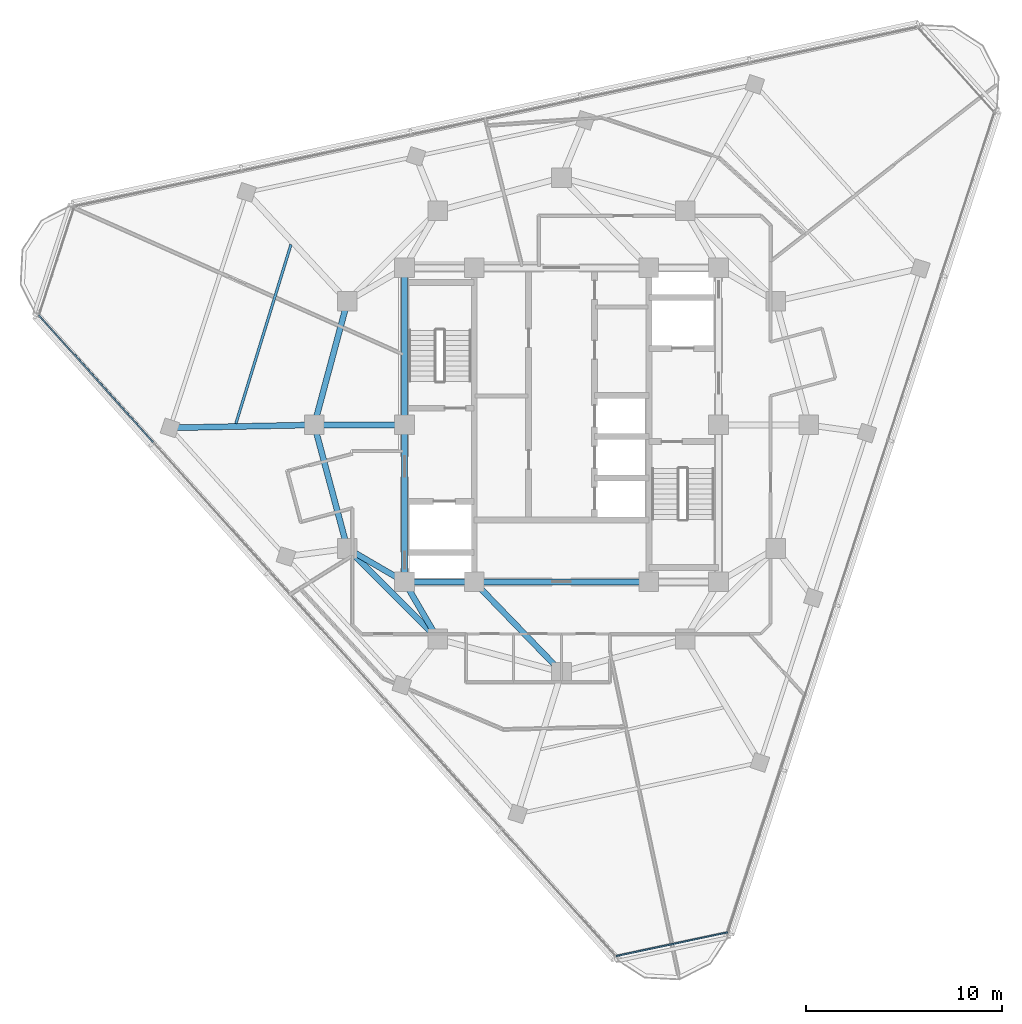
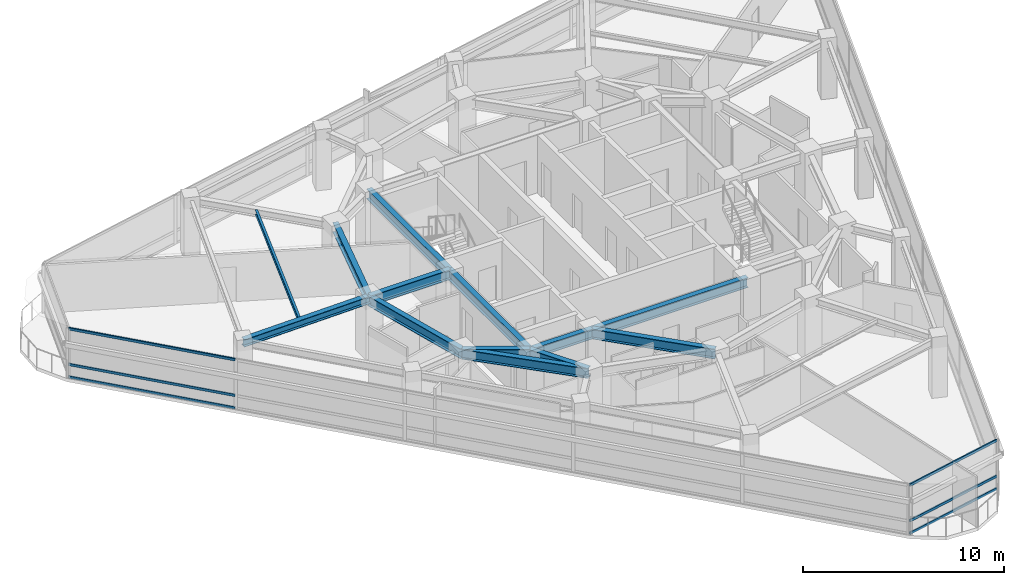
# One storey, part 3 of 15: 13 beams, 6 members, 2 elements without a shape of their own.
"""IFC4 building model written with IfcOpenShell, lengths in metres."""

import ifcopenshell
import ifcopenshell.guid

model = None  # the IFC model being written
_history = None  # IfcOwnerHistory: only IFC2X3 demands one
_inside = {}  # id of a spatial element -> (the spatial element, [elements in it])
_under = {}  # id of a project, library or spatial element -> (it, [spatial elements below it])
_declared = {}  # id of a project -> (the project, [libraries it declares])
_typed = {}  # id of a type object -> (the type object, [elements of that type])
_made_of = {}  # id of a material, layer set ... -> (it, [elements and type objects made of it])


def new_model(schema):
    """Start an empty IFC model of exactly this schema.

    Asked for "IFC4X3", IfcOpenShell would pick the latest addendum, in which some entities
    have other attributes; the version numbers below select the first issue.
    IFC2X3 requires an IfcOwnerHistory on every rooted entity: one is made here for all.
    """
    global model, _history
    if schema == "IFC4X3":
        model = ifcopenshell.file(schema_version=(4, 3, 0, 0))
    else:
        model = ifcopenshell.file(schema=schema)
    _inside.clear()
    _under.clear()
    _declared.clear()
    _typed.clear()
    _made_of.clear()
    _history = None
    if model.schema == "IFC2X3":
        org = make("IfcOrganization", Name="unknown")
        user = make(
            "IfcPersonAndOrganization",
            ThePerson=make("IfcPerson", FamilyName="unknown"),
            TheOrganization=org,
        )
        app = make(
            "IfcApplication",
            ApplicationDeveloper=org,
            Version="unknown",
            ApplicationFullName="unknown",
            ApplicationIdentifier="unknown",
        )
        _history = make(
            "IfcOwnerHistory",
            OwningUser=user,
            OwningApplication=app,
            ChangeAction="ADDED",
            CreationDate=0,
        )
    return model


def make(cls, **values):
    """One entity of the class cls with the attributes given. An attribute that is None is left unset."""
    return model.create_entity(
        cls, **{name: value for name, value in values.items() if value is not None}
    )


def rooted(cls, **values):
    """An entity with a GlobalId (a new one), such as an element, a storey or a relation."""
    return make(cls, GlobalId=ifcopenshell.guid.new(), OwnerHistory=_history, **values)


def si_unit(unit_type, name, prefix=None):
    """IfcSIUnit, for example si_unit("LENGTHUNIT", "METRE", prefix="MILLI")."""
    return make("IfcSIUnit", UnitType=unit_type, Prefix=prefix, Name=name)


def assignment(units):
    """IfcUnitAssignment: the units of a project."""
    return None if units is None else make("IfcUnitAssignment", Units=units)


def point(xyz):
    """IfcCartesianPoint."""
    return None if xyz is None else make("IfcCartesianPoint", Coordinates=xyz)


def direction(xyz):
    """IfcDirection."""
    return None if xyz is None else make("IfcDirection", DirectionRatios=xyz)


def frame(location, z_axis=None, x_axis=None):
    """IfcAxis2Placement3D, a coordinate frame: its origin and axes. An axis left out is left unset."""
    return make(
        "IfcAxis2Placement3D",
        Location=point(location),
        Axis=direction(z_axis),
        RefDirection=direction(x_axis),
    )


def frame_2d(location, x_axis=None):
    """IfcAxis2Placement2D, a coordinate frame in the plane: its origin and x axis."""
    return make(
        "IfcAxis2Placement2D", Location=point(location), RefDirection=direction(x_axis)
    )


def origin():
    """The frame at (0, 0, 0) with its axes left unset."""
    return frame((0.0, 0.0, 0.0))


def origin_2d():
    """The frame at (0, 0) in the plane with its x axis left unset."""
    return frame_2d((0.0, 0.0))


def place(relative_to, where):
    """IfcLocalPlacement: puts the frame where relative to a parent placement (None: the world)."""
    return make(
        "IfcLocalPlacement", PlacementRelTo=relative_to, RelativePlacement=where
    )


def context(
    kind, dimensions, precision=None, world=None, true_north=None, identifier=None
):
    """IfcGeometricRepresentationContext, for example the 3D "Model" context."""
    return make(
        "IfcGeometricRepresentationContext",
        ContextIdentifier=identifier,
        ContextType=kind,
        CoordinateSpaceDimension=dimensions,
        Precision=precision,
        WorldCoordinateSystem=world,
        TrueNorth=true_north,
    )


def subcontext(parent, identifier, kind, view, scale=None):
    """IfcGeometricRepresentationSubContext, for example "Body" below "Model"."""
    return make(
        "IfcGeometricRepresentationSubContext",
        ContextIdentifier=identifier,
        ContextType=kind,
        ParentContext=parent,
        TargetScale=scale,
        TargetView=view,
    )


def project(units=None, contexts=None):
    """IfcProject with its units and contexts."""
    return rooted(
        "IfcProject",
        Name="project",
        RepresentationContexts=contexts,
        UnitsInContext=assignment(units),
    )


def spatial(cls, under=None, at=None, **own):
    """A site, building, storey or space (cls), placed at a placement, below another one or the project."""
    s = rooted(cls, ObjectPlacement=at, **own)
    if under is not None:
        _under.setdefault(under.id(), (under, []))[1].append(s)
    return s


def profile(cls, at=None, kind="AREA", **sizes):
    """A parametric profile (cls). Its sizes go by their IFC names, for example OverallWidth=200.0."""
    return make(cls, ProfileType=kind, Position=at, **sizes)


def rectangle(**sizes):
    """IfcRectangleProfileDef."""
    return profile("IfcRectangleProfileDef", **sizes)


def i_section(**sizes):
    """IfcIShapeProfileDef."""
    return profile("IfcIShapeProfileDef", **sizes)


def extrude(swept, where, along, depth):
    """IfcExtrudedAreaSolid: the profile swept, set in the frame where, extruded along a direction by depth."""
    return make(
        "IfcExtrudedAreaSolid",
        SweptArea=swept,
        Position=where,
        ExtrudedDirection=direction(along),
        Depth=depth,
    )


def shape(context_of_items, identifier, shape_type, items):
    """IfcShapeRepresentation: the items that make up one representation, for example the "Body"."""
    return make(
        "IfcShapeRepresentation",
        ContextOfItems=context_of_items,
        RepresentationIdentifier=identifier,
        RepresentationType=shape_type,
        Items=items,
    )


def material(Name=None, Category=None):
    """IfcMaterial."""
    return make("IfcMaterial", Name=Name, Category=Category)


def layer(
    of_material, thickness, ventilated=None, Name=None, Category=None, Priority=None
):
    """IfcMaterialLayer: one layer of a wall or slab, of a material (None: an air gap)."""
    return make(
        "IfcMaterialLayer",
        Material=of_material,
        LayerThickness=thickness,
        IsVentilated=ventilated,
        Name=Name,
        Category=Category,
        Priority=Priority,
    )


def layer_set(layers, Name=None):
    """IfcMaterialLayerSet."""
    return make("IfcMaterialLayerSet", MaterialLayers=layers, LayerSetName=Name)


def material_profile(
    of_material, cross_section, Name=None, Category=None, Priority=None
):
    """IfcMaterialProfile: a cross section and its material."""
    return make(
        "IfcMaterialProfile",
        Name=Name,
        Material=of_material,
        Profile=cross_section,
        Priority=Priority,
        Category=Category,
    )


def profile_set(profiles, Name=None, composite=None):
    """IfcMaterialProfileSet."""
    return make(
        "IfcMaterialProfileSet",
        Name=Name,
        MaterialProfiles=profiles,
        CompositeProfile=composite,
    )


def made_of(thing, what):
    """Note that an element or type object is made of a material, layer set ...; save() writes the relation."""
    if what is not None:
        _made_of.setdefault(what.id(), (what, []))[1].append(thing)
    return thing


def type_object(cls, material=None, **own):
    """A type object (cls), such as IfcWallType, which elements share."""
    return made_of(rooted(cls, **own), material)


def element(
    cls,
    number,
    at=None,
    inside=None,
    cuts=None,
    type_object=None,
    material=None,
    context=None,
    identifier="Body",
    shape_type=None,
    held_by="IfcProductDefinitionShape",
    body=None,
    shapes=None,
    **own,
):
    """One element of the class cls, such as IfcWall. Its Tag is "e" and its number.

    at: its placement. inside: the storey or other place that contains it. cuts: it is an
    opening in that element (IfcRelVoidsElement). A single representation is given by context,
    identifier, shape_type and body (its items); several are given by shapes. held_by: the class
    of the entity that holds the representations. save() writes the other relations.
    """
    e = rooted(cls, Tag="e%d" % number, ObjectPlacement=at, **own)
    if body is not None:
        shapes = [shape(context, identifier, shape_type, body)]
    if shapes is not None:
        e.Representation = make(held_by, Representations=shapes)
    if inside is not None:
        _inside.setdefault(inside.id(), (inside, []))[1].append(e)
    if cuts is not None:
        rooted(
            "IfcRelVoidsElement", RelatingBuildingElement=cuts, RelatedOpeningElement=e
        )
    if type_object is not None:
        _typed.setdefault(type_object.id(), (type_object, []))[1].append(e)
    return made_of(e, material)


def aggregate(whole, parts):
    """IfcRelAggregates: a whole, such as a stair, and the parts it consists of."""
    return rooted("IfcRelAggregates", RelatingObject=whole, RelatedObjects=parts)


def save(model, path):
    """Write the relations noted so far, then the file.

    IfcRelAggregates (storeys below a building ...), IfcRelContainedInSpatialStructure (elements
    in a storey), IfcRelDefinesByType, IfcRelAssociatesMaterial and IfcRelDeclares: one each for
    every whole, place, type object, material and project.
    """
    for whole, parts in _under.values():
        aggregate(whole, parts)
    for where, things in _inside.values():
        rooted(
            "IfcRelContainedInSpatialStructure",
            RelatedElements=things,
            RelatingStructure=where,
        )
    for kind, things in _typed.values():
        rooted("IfcRelDefinesByType", RelatedObjects=things, RelatingType=kind)
    for what, things in _made_of.values():
        rooted("IfcRelAssociatesMaterial", RelatedObjects=things, RelatingMaterial=what)
    for by, libraries in _declared.values():
        rooted("IfcRelDeclares", RelatingContext=by, RelatedDefinitions=libraries)
    model.write(path)


model = new_model("IFC4")

# Units and contexts
model_context = context("Model", 3, precision=1e-05, world=origin(), true_north=direction((0.0, 1.0)))
body_context = subcontext(model_context, "Body", "Model", "MODEL_VIEW")
ifc_project = project(units=[si_unit("LENGTHUNIT", "METRE"), si_unit("AREAUNIT", "SQUARE_METRE"), si_unit("VOLUMEUNIT", "CUBIC_METRE"), si_unit("PLANEANGLEUNIT", "RADIAN"), si_unit("MASSUNIT", "GRAM", prefix="KILO")], contexts=[model_context])

# Site, building, storey
site_placement = place(None, origin())
site = spatial("IfcSite", under=ifc_project, at=site_placement, CompositionType="ELEMENT")
building_placement = place(site_placement, origin())
building = spatial("IfcBuilding", under=site, at=building_placement, Name="Terralouvre Media Tower", CompositionType="ELEMENT")
storey_placement = place(building_placement, frame((0.0, 0.0, 286.89990234375)))
storey = spatial("IfcBuildingStorey", under=building, at=storey_placement, Name="L74", CompositionType="ELEMENT", Elevation=286.89990234375)

# Beam
ifc_material_1 = material(Name="Structural steel S355J2", Category="steel")
ifc_material_profile_1 = material_profile(ifc_material_1, i_section(OverallWidth=0.135009765625, OverallDepth=0.27001953125, WebThickness=0.006591796875, FlangeThickness=0.01025390625, at=origin_2d()), Name="IPE 270")
ifc_profile_set_1 = profile_set([ifc_material_profile_1], Name="Structural steel S355J2")
beam_type_1 = type_object("IfcBeamType", Name="Composite Floor Joist J-IPE270 (IPE 270)", PredefinedType="JOIST", material=ifc_profile_set_1)
beam_1_placement = place(storey_placement, frame((-13.788330078125, 9.187744140625, 3.364990234375), z_axis=(-0.294195495195, -0.955745264496, 0.0), x_axis=(0.955745264496, -0.294195495195, 0.0)))
element("IfcBeam", 1, at=beam_1_placement, inside=storey, type_object=beam_type_1, Name="L74 Framing Beam JT-L74-06", PredefinedType="JOIST", context=body_context, shape_type="SweptSolid", body=[
    extrude(i_section(OverallWidth=0.135009765625, OverallDepth=0.27001953125, WebThickness=0.006591796875, FlangeThickness=0.01025390625, at=origin_2d()), origin(), (0.0, 0.0, 1.0), 9.544189453125),
])

# Curtain wall, members
ifc_material_2 = material(Name="Low-iron laminated double glazing with solar-control coating", Category="glass")
ifc_layer_1 = layer(ifc_material_2, 0.1650390625, Name="Faceted Glass-Point Crown Curtain Wall CW-06")
ifc_layer_set_1 = layer_set([ifc_layer_1], Name="Low-iron laminated double glazing with solar-control coating")
curtain_wall_type_1 = type_object("IfcCurtainWallType", Name="Faceted Glass-Point Crown Curtain Wall CW-06", PredefinedType="NOTDEFINED", material=ifc_layer_set_1)
curtain_wall_1_placement = place(storey_placement, origin())
curtain_wall_1 = element("IfcCurtainWall", 2, at=curtain_wall_1_placement, inside=storey, type_object=curtain_wall_type_1, Name="L74 Facade Curtain Wall F2", PredefinedType="NOTDEFINED")
ifc_material_3 = material(Name="Anodised extruded aluminium 6063-T6", Category="aluminium")
ifc_material_profile_2 = material_profile(ifc_material_3, rectangle(XDim=0.074951171875, YDim=0.14990234375, at=origin_2d()), Name="ALU 75x150")
ifc_profile_set_2 = profile_set([ifc_material_profile_2], Name="Anodised extruded aluminium 6063-T6")
member_type = type_object("IfcMemberType", Name="Curtain-Wall Horizontal Transom TR-150", PredefinedType="USERDEFINED", material=ifc_profile_set_2)
member_1_placement = place(storey_placement, frame((-26.64306640625, 5.59423828125, 0.03759765625), z_axis=(0.669130389016, -0.743145021174, 0.0), x_axis=(0.743145021174, 0.669130389016, 0.0)))
member_1 = element("IfcMember", 3, at=member_1_placement, type_object=member_type, Name="CW-06 transom 1.1", ObjectType="TRANSOM", PredefinedType="USERDEFINED", context=body_context, shape_type="SweptSolid", body=[
    extrude(rectangle(XDim=0.074951171875, YDim=0.14990234375, at=origin_2d()), origin(), (0.0, 0.0, 1.0), 8.71142578125),
])
member_2_placement = place(storey_placement, frame((-26.64306640625, 5.59423828125, 0.800048828125), z_axis=(0.669130389016, -0.743145021174, 0.0), x_axis=(0.743145021174, 0.669130389016, 0.0)))
member_2 = element("IfcMember", 4, at=member_2_placement, type_object=member_type, Name="CW-06 transom 1.2", ObjectType="TRANSOM", PredefinedType="USERDEFINED", context=body_context, shape_type="SweptSolid", body=[
    extrude(rectangle(XDim=0.074951171875, YDim=0.14990234375, at=origin_2d()), origin(), (0.0, 0.0, 1.0), 8.71142578125),
])
member_3_placement = place(storey_placement, frame((-26.64306640625, 5.59423828125, 2.962646484375), z_axis=(0.669130389016, -0.743145021174, 0.0), x_axis=(0.743145021174, 0.669130389016, 0.0)))
member_3 = element("IfcMember", 5, at=member_3_placement, type_object=member_type, Name="CW-06 transom 1.3", ObjectType="TRANSOM", PredefinedType="USERDEFINED", context=body_context, shape_type="SweptSolid", body=[
    extrude(rectangle(XDim=0.074951171875, YDim=0.14990234375, at=origin_2d()), origin(), (0.0, 0.0, 1.0), 8.71142578125),
])
aggregate(curtain_wall_1, [member_1, member_2, member_3])

ifc_material_4 = material(Name="Low-iron laminated double glazing with solar-control coating", Category="glass")
ifc_layer_2 = layer(ifc_material_4, 0.1650390625, Name="Rounded Wind-Corner Curved Glazing CW-04")
ifc_layer_set_2 = layer_set([ifc_layer_2], Name="Low-iron laminated double glazing with solar-control coating")
curtain_wall_type_2 = type_object("IfcCurtainWallType", Name="Rounded Wind-Corner Curved Glazing CW-04", PredefinedType="NOTDEFINED", material=ifc_layer_set_2)
curtain_wall_2_placement = place(storey_placement, origin())
curtain_wall_2 = element("IfcCurtainWall", 6, at=curtain_wall_2_placement, inside=storey, type_object=curtain_wall_type_2, Name="L74 Rounded Wind-Corner Curtain Wall C0", PredefinedType="NOTDEFINED")
member_4_placement = place(storey_placement, frame((2.783935546875, -27.0654296875, 0.03759765625), z_axis=(0.978142503597, 0.207935669515, 0.0), x_axis=(-0.207935669515, 0.978142503597, 0.0)))
member_4 = element("IfcMember", 7, at=member_4_placement, type_object=member_type, Name="CW-04 transom 1.1", ObjectType="TRANSOM", PredefinedType="USERDEFINED", context=body_context, shape_type="SweptSolid", body=[
    extrude(rectangle(XDim=0.074951171875, YDim=0.14990234375, at=origin_2d()), origin(), (0.0, 0.0, 1.0), 5.808349609375),
])
member_5_placement = place(storey_placement, frame((2.783935546875, -27.0654296875, 0.800048828125), z_axis=(0.978142503597, 0.207935669515, 0.0), x_axis=(-0.207935669515, 0.978142503597, 0.0)))
member_5 = element("IfcMember", 8, at=member_5_placement, type_object=member_type, Name="CW-04 transom 1.2", ObjectType="TRANSOM", PredefinedType="USERDEFINED", context=body_context, shape_type="SweptSolid", body=[
    extrude(rectangle(XDim=0.074951171875, YDim=0.14990234375, at=origin_2d()), origin(), (0.0, 0.0, 1.0), 5.808349609375),
])
member_6_placement = place(storey_placement, frame((2.783935546875, -27.0654296875, 2.962646484375), z_axis=(0.978142503597, 0.207935669515, 0.0), x_axis=(-0.207935669515, 0.978142503597, 0.0)))
member_6 = element("IfcMember", 9, at=member_6_placement, type_object=member_type, Name="CW-04 transom 1.3", ObjectType="TRANSOM", PredefinedType="USERDEFINED", context=body_context, shape_type="SweptSolid", body=[
    extrude(rectangle(XDim=0.074951171875, YDim=0.14990234375, at=origin_2d()), origin(), (0.0, 0.0, 1.0), 5.808349609375),
])
aggregate(curtain_wall_2, [member_4, member_5, member_6])

# Beams
ifc_material_5 = material(Name="Structural steel S355J2", Category="steel")
ifc_material_profile_3 = material_profile(ifc_material_5, i_section(OverallWidth=0.300048828125, OverallDepth=0.449951171875, WebThickness=0.013916015625, FlangeThickness=0.02587890625, at=origin_2d()), Name="HEB 450")
ifc_profile_set_3 = profile_set([ifc_material_profile_3], Name="Structural steel S355J2")
beam_type_2 = type_object("IfcBeamType", Name="Primary Floor Girder B-HEB450 (HEB 450)", PredefinedType="BEAM", material=ifc_profile_set_3)
beam_2_placement = place(storey_placement, frame((-12.60009765625, 0.0, 3.275146484375), z_axis=(-0.999787942628, -0.020592954534, 0.0), x_axis=(0.020592954534, -0.999787942628, 0.0)))
element("IfcBeam", 10, at=beam_2_placement, inside=storey, type_object=beam_type_2, Name="L74 Framing Beam BM-L74-RD01", PredefinedType="BEAM", context=body_context, shape_type="SweptSolid", body=[
    extrude(i_section(OverallWidth=0.300048828125, OverallDepth=0.449951171875, WebThickness=0.013916015625, FlangeThickness=0.02587890625, at=origin_2d()), origin(), (0.0, 0.0, 1.0), 7.350341796875),
])
ifc_material_6 = material(Name="Structural steel S460M", Category="steel")
ifc_material_profile_4 = material_profile(ifc_material_6, i_section(OverallWidth=0.300048828125, OverallDepth=0.60009765625, WebThickness=0.015380859375, FlangeThickness=0.030029296875, at=origin_2d()), Name="HEB 600")
ifc_profile_set_4 = profile_set([ifc_material_profile_4], Name="Structural steel S460M")
beam_type_3 = type_object("IfcBeamType", Name="Primary Floor Girder B-HEB600 (HEB 600)", PredefinedType="BEAM", material=ifc_profile_set_4)
beam_3_placement = place(storey_placement, frame((-8.0, -8.0, 3.2001953125), z_axis=(1.0, 0.0, 0.0), x_axis=(0.0, 1.0, 0.0)))
element("IfcBeam", 11, at=beam_3_placement, inside=storey, type_object=beam_type_3, Name="L74 Framing Beam BM-L74-CPR01", PredefinedType="BEAM", context=body_context, shape_type="SweptSolid", body=[
    extrude(i_section(OverallWidth=0.300048828125, OverallDepth=0.60009765625, WebThickness=0.015380859375, FlangeThickness=0.030029296875, at=origin_2d()), origin(), (0.0, 0.0, 1.0), 3.550048828125),
])
beam_4_placement = place(storey_placement, frame((-4.449951171875, -8.0, 3.2001953125), z_axis=(1.0, 0.0, 0.0), x_axis=(0.0, 1.0, 0.0)))
element("IfcBeam", 12, at=beam_4_placement, inside=storey, type_object=beam_type_3, Name="L74 Framing Beam BM-L74-CPR02", PredefinedType="BEAM", context=body_context, shape_type="SweptSolid", body=[
    extrude(i_section(OverallWidth=0.300048828125, OverallDepth=0.60009765625, WebThickness=0.015380859375, FlangeThickness=0.030029296875, at=origin_2d()), origin(), (0.0, 0.0, 1.0), 8.89990234375),
])
for number, where, z_axis, x_axis, name in (
    (13, (-8.0, 8.0, 3.2001953125), (0.0, -1.0, 0.0), (1.0, 0.0, 0.0), "L74 Framing Beam BM-L74-CPR09"),
    (14, (-8.0, 0.0, 3.2001953125), (0.0, -1.0, 0.0), (1.0, 0.0, 0.0), "L74 Framing Beam BM-L74-CPR10"),
):
    element("IfcBeam", number, at=place(storey_placement, frame(where, z_axis=z_axis, x_axis=x_axis)), inside=storey, type_object=beam_type_3, Name=name, PredefinedType="BEAM", context=body_context, shape_type="SweptSolid", body=[
        extrude(i_section(OverallWidth=0.300048828125, OverallDepth=0.60009765625, WebThickness=0.015380859375, FlangeThickness=0.030029296875, at=origin_2d()), origin(), (0.0, 0.0, 1.0), 8.0),
    ])
beam_5_placement = place(storey_placement, frame((-10.911865234375, -6.300048828125, 3.2001953125), z_axis=(0.707106781187, -0.707106781187, 0.0), x_axis=(0.707106781187, 0.707106781187, 0.0)))
element("IfcBeam", 15, at=beam_5_placement, inside=storey, type_object=beam_type_3, Name="L74 Framing Beam BM-L74-MR01", PredefinedType="BEAM", context=body_context, shape_type="SweptSolid", body=[
    extrude(i_section(OverallWidth=0.300048828125, OverallDepth=0.60009765625, WebThickness=0.015380859375, FlangeThickness=0.030029296875, at=origin_2d()), origin(), (0.0, 0.0, 1.0), 6.52197265625),
])
for number, where, z_axis, x_axis, name in (
    (16, (-10.911865234375, 6.300048828125, 3.2001953125), (-0.258838989821, -0.965920481897, 0.0), (0.965920481897, -0.258838989821, 0.0), "L74 Framing Beam BM-L74-MR11"),
    (17, (-12.60009765625, 0.0, 3.2001953125), (0.258838989821, -0.965920481897, 0.0), (0.965920481897, 0.258838989821, 0.0), "L74 Framing Beam BM-L74-MR12"),
):
    element("IfcBeam", number, at=place(storey_placement, frame(where, z_axis=z_axis, x_axis=x_axis)), inside=storey, type_object=beam_type_3, Name=name, PredefinedType="BEAM", context=body_context, shape_type="SweptSolid", body=[
        extrude(i_section(OverallWidth=0.300048828125, OverallDepth=0.60009765625, WebThickness=0.015380859375, FlangeThickness=0.030029296875, at=origin_2d()), origin(), (0.0, 0.0, 1.0), 6.522216796875),
    ])
for number, where, z_axis, x_axis, name in (
    (18, (-8.0, -8.0, 3.2001953125), (-0.863602894532, 0.504172629717, 0.0), (-0.504172629717, -0.863602894532, 0.0), "L74 Framing Beam BM-L74-CM01"),
    (19, (-8.0, -8.0, 3.2001953125), (0.504172629717, -0.863602894532, 0.0), (0.863602894532, 0.504172629717, 0.0), "L74 Framing Beam BM-L74-CM02"),
):
    element("IfcBeam", number, at=place(storey_placement, frame(where, z_axis=z_axis, x_axis=x_axis)), inside=storey, type_object=beam_type_3, Name=name, PredefinedType="BEAM", context=body_context, shape_type="SweptSolid", body=[
        extrude(i_section(OverallWidth=0.300048828125, OverallDepth=0.60009765625, WebThickness=0.015380859375, FlangeThickness=0.030029296875, at=origin_2d()), origin(), (0.0, 0.0, 1.0), 3.371826171875),
    ])
beam_6_placement = place(storey_placement, frame((-4.449951171875, -8.0, 3.2001953125), z_axis=(0.695279715726, -0.718739255155, 0.0), x_axis=(0.718739255155, 0.695279715726, 0.0)))
element("IfcBeam", 20, at=beam_6_placement, inside=storey, type_object=beam_type_3, Name="L74 Framing Beam BM-L74-CM03", PredefinedType="BEAM", context=body_context, shape_type="SweptSolid", body=[
    extrude(i_section(OverallWidth=0.300048828125, OverallDepth=0.60009765625, WebThickness=0.015380859375, FlangeThickness=0.030029296875, at=origin_2d()), origin(), (0.0, 0.0, 1.0), 6.400146484375),
])
beam_7_placement = place(storey_placement, frame((-8.0, 0.0, 3.2001953125), z_axis=(-1.0, 0.0, 0.0), x_axis=(0.0, -1.0, 0.0)))
element("IfcBeam", 21, at=beam_7_placement, inside=storey, type_object=beam_type_3, Name="L74 Framing Beam BM-L74-CM12", PredefinedType="BEAM", context=body_context, shape_type="SweptSolid", body=[
    extrude(i_section(OverallWidth=0.300048828125, OverallDepth=0.60009765625, WebThickness=0.015380859375, FlangeThickness=0.030029296875, at=origin_2d()), origin(), (0.0, 0.0, 1.0), 4.60009765625),
])

save(model, "model.ifc")
